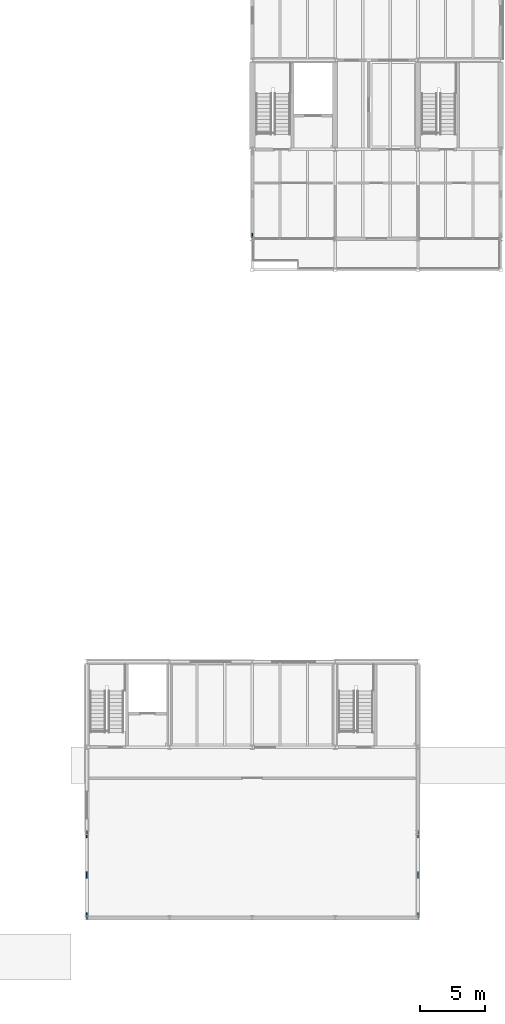
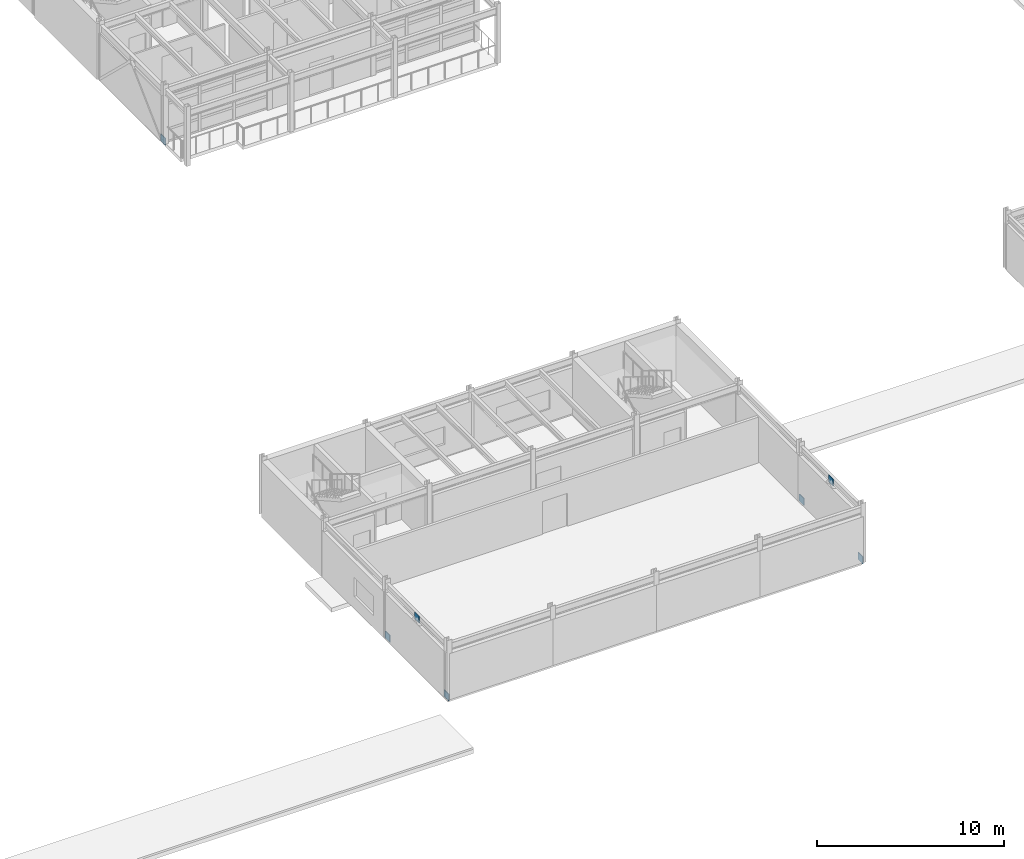
# One storey, part 34 of 49: 7 plates.
"""IFC4 building model written with IfcOpenShell, lengths in metres."""

from ifc_helpers import new_model, si_unit, direction, frame, origin, origin_2d, place, context, subcontext, project, spatial, rectangle, extrude, material, layer, layer_set, type_object, element, save


model = new_model("IFC4")

# Units and contexts
model_context = context("Model", 3, precision=1e-05, world=origin(), true_north=direction((0.0, 1.0)))
body_context = subcontext(model_context, "Body", "Model", "MODEL_VIEW")
ifc_project = project(units=[si_unit("LENGTHUNIT", "METRE"), si_unit("AREAUNIT", "SQUARE_METRE"), si_unit("VOLUMEUNIT", "CUBIC_METRE"), si_unit("PLANEANGLEUNIT", "RADIAN"), si_unit("MASSUNIT", "GRAM", prefix="KILO")], contexts=[model_context])

# Site, building, storey
site_placement = place(None, origin())
site = spatial("IfcSite", under=ifc_project, at=site_placement, CompositionType="ELEMENT")
building_placement = place(site_placement, origin())
building = spatial("IfcBuilding", under=site, at=building_placement, Name="Trelmorton Wharf Fire Station", CompositionType="ELEMENT")
storey_placement = place(building_placement, frame((0.0, 0.0, 9.60009765625)))
storey = spatial("IfcBuildingStorey", under=building, at=storey_placement, Name="L02", CompositionType="ELEMENT", Elevation=9.60009765625)

# Plates
ifc_material = material(Name="Steel Grade 350", Category="steel")
ifc_layer = layer(ifc_material, 0.050048828125)
ifc_layer_set = layer_set([ifc_layer], Name="Steel Grade 350")
plate_type = type_object("IfcPlateType", Name="PL_GUSSET_TN2", PredefinedType="USERDEFINED", material=ifc_layer_set)
for number, where, z_axis, x_axis, name in (
    (1, (58.0, 7.95458984375, -0.10498046875), (0.0, 0.0, 1.0), (1.0, 0.0, 0.0), "PL-CBF-0367"),
    (2, (58.0, 14.24560546875, -0.10498046875), (0.0, 0.0, 1.0), (1.0, 0.0, 0.0), "PL-CBF-0368"),
    (3, (58.0, 11.10009765625, 3.0546875), (0.0, 0.0, 1.0), (1.0, 0.0, 0.0), "PL-CBF-0369"),
    (4, (83.60009765625, 7.95458984375, -0.10498046875), (0.0, 0.0, 1.0), (1.0, 0.0, 0.0), "PL-CBF-0379"),
    (5, (83.60009765625, 14.24560546875, -0.10498046875), (0.0, 0.0, 1.0), (1.0, 0.0, 0.0), "PL-CBF-0380"),
    (6, (83.60009765625, 11.10009765625, 3.0546875), (0.0, 0.0, 1.0), (1.0, 0.0, 0.0), "PL-CBF-0381"),
    (7, (70.800048828125, 60.45458984375, -0.10498046875), (0.0, 0.0, 1.0), (1.0, 0.0, 0.0), "PL-CBF-0406"),
):
    element("IfcPlate", number, at=place(storey_placement, frame(where, z_axis=z_axis, x_axis=x_axis)), inside=storey, type_object=plate_type, Name=name, ObjectType="GUSSET PLATE", PredefinedType="USERDEFINED", context=body_context, shape_type="SweptSolid", body=[
        extrude(rectangle(XDim=0.050048828125, YDim=0.5, at=origin_2d()), origin(), (0.0, 0.0, 1.0), 0.449951171875),
    ])

save(model, "model.ifc")
